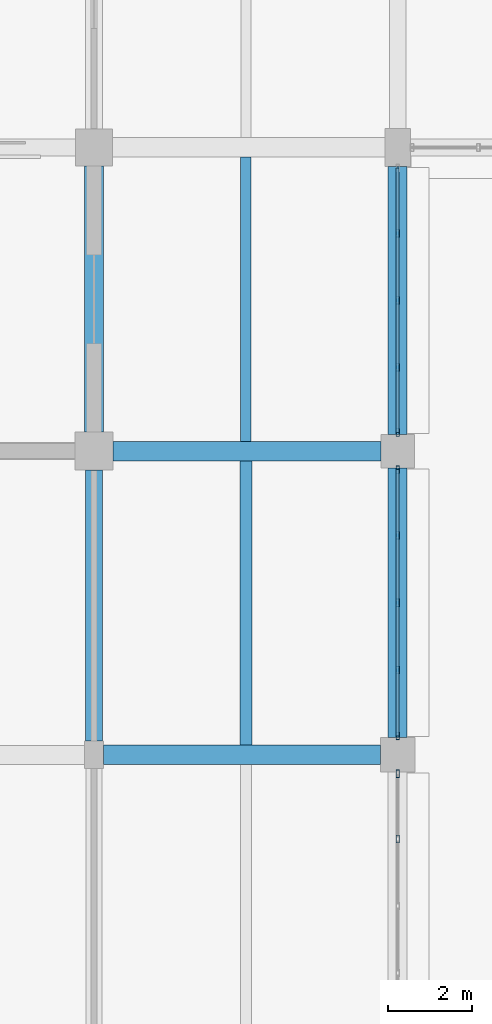
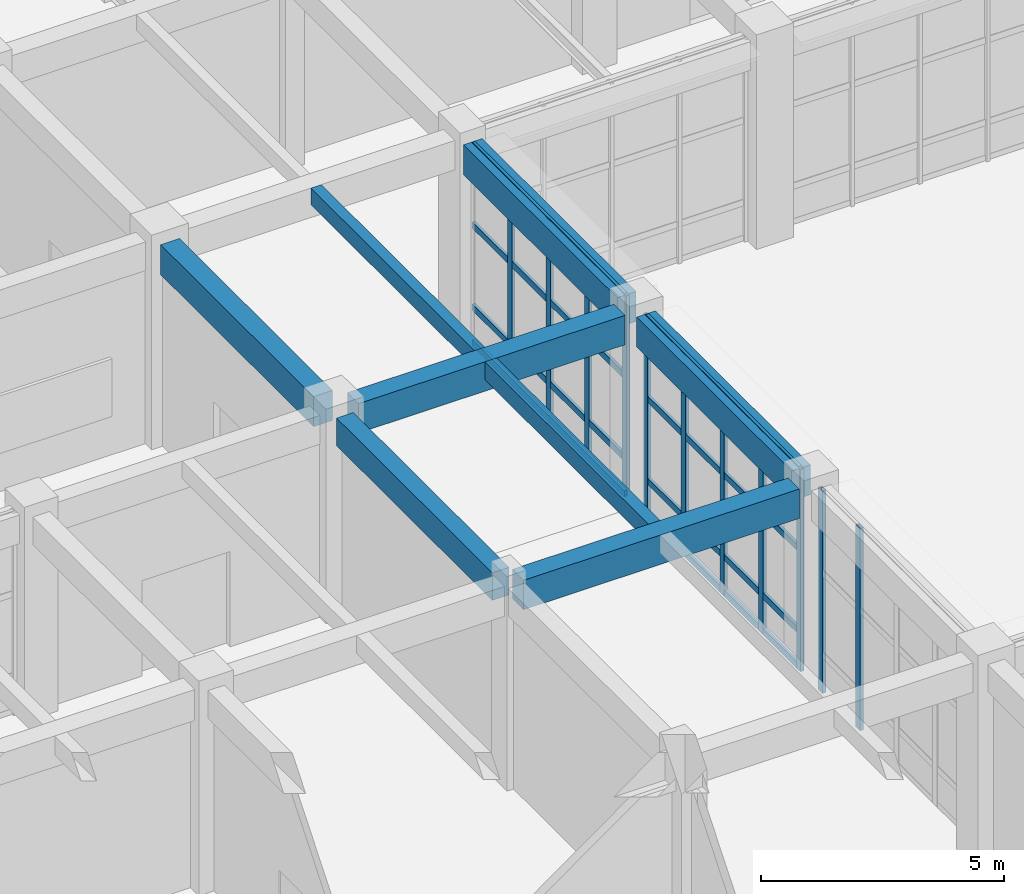
# One storey, part 48 of 160: 19 members, 8 beams, 3 elements without a shape of their own.
"""IFC4 building model written with IfcOpenShell, lengths in metres."""

from ifc_helpers import new_model, si_unit, direction, frame, origin, origin_2d, place, context, subcontext, project, spatial, rectangle, hollow_rectangle, extrude, material, material_profile, profile_set, type_object, element, aggregate, save


model = new_model("IFC4")

# Units and contexts
model_context = context("Model", 3, precision=1e-05, world=origin(), true_north=direction((0.0, 1.0)))
body_context = subcontext(model_context, "Body", "Model", "MODEL_VIEW")
ifc_project = project(units=[si_unit("LENGTHUNIT", "METRE"), si_unit("AREAUNIT", "SQUARE_METRE"), si_unit("VOLUMEUNIT", "CUBIC_METRE"), si_unit("PLANEANGLEUNIT", "RADIAN"), si_unit("MASSUNIT", "GRAM", prefix="KILO")], contexts=[model_context])

# Site, building, storey
site_placement = place(None, origin())
site = spatial("IfcSite", under=ifc_project, at=site_placement, CompositionType="ELEMENT")
building_placement = place(site_placement, origin())
building = spatial("IfcBuilding", under=site, at=building_placement, Name="Thalmaran Polytechnic", CompositionType="ELEMENT")
storey_placement = place(building_placement, origin())
storey = spatial("IfcBuildingStorey", under=building, at=storey_placement, Name="L00", CompositionType="ELEMENT", Elevation=0.0)

# Beams
ifc_material_1 = material(Name="Concrete C40/50", Category="concrete")
ifc_material_profile_1 = material_profile(ifc_material_1, rectangle(XDim=0.280029296875, YDim=0.449951171875, at=origin_2d()), Name="RC 280x450")
ifc_profile_set_1 = profile_set([ifc_material_profile_1], Name="Concrete C40/50")
beam_type_1 = type_object("IfcBeamType", Name="BM-RC13", PredefinedType="JOIST", material=ifc_profile_set_1)
beam_1_placement = place(storey_placement, frame((18.0, 79.429931640625, 4.864990234375), z_axis=(0.0, 1.0, 0.0), x_axis=(-1.0, 0.0, 0.0)))
element("IfcBeam", 1, at=beam_1_placement, inside=storey, type_object=beam_type_1, Name="Secondary Floor Rib RB03 L00 (2,11)", PredefinedType="JOIST", context=body_context, shape_type="SweptSolid", body=[
    extrude(rectangle(XDim=0.280029296875, YDim=0.449951171875, at=origin_2d()), origin(), (0.0, 0.0, 1.0), 6.739990234375),
])
ifc_material_profile_2 = material_profile(ifc_material_1, rectangle(XDim=0.449951171875, YDim=0.7548828125, at=origin_2d()), Name="RC 450x755")
ifc_profile_set_2 = profile_set([ifc_material_profile_2], Name="Concrete C40/50")
beam_type_2 = type_object("IfcBeamType", Name="BM-SP02", PredefinedType="SPANDREL", material=ifc_profile_set_2)
beam_2_placement = place(storey_placement, frame((14.39990234375, 86.85009765625, 4.71240234375), z_axis=(0.0, 1.0, 0.0), x_axis=(-1.0, 0.0, 0.0)))
element("IfcBeam", 2, at=beam_2_placement, inside=storey, type_object=beam_type_2, Name="Grid Beam SP02 L00 Y(2,12)", PredefinedType="SPANDREL", context=body_context, shape_type="SweptSolid", body=[
    extrude(rectangle(XDim=0.449951171875, YDim=0.7548828125, at=origin_2d()), origin(), (0.0, 0.0, 1.0), 6.309814453125),
])
beam_3_placement = place(storey_placement, frame((21.60009765625, 79.610107421875, 4.71240234375), z_axis=(0.0, 1.0, 0.0), x_axis=(-1.0, 0.0, 0.0)))
element("IfcBeam", 3, at=beam_3_placement, inside=storey, type_object=beam_type_2, Name="Grid Beam SP02 L00 Y(3,11)", PredefinedType="SPANDREL", context=body_context, shape_type="SweptSolid", body=[
    extrude(rectangle(XDim=0.449951171875, YDim=0.7548828125, at=origin_2d()), origin(), (0.0, 0.0, 1.0), 6.389892578125),
])
beam_4_placement = place(storey_placement, frame((21.60009765625, 86.800048828125, 4.71240234375), z_axis=(0.0, 1.0, 0.0), x_axis=(-1.0, 0.0, 0.0)))
element("IfcBeam", 4, at=beam_4_placement, inside=storey, type_object=beam_type_2, Name="Grid Beam SP02 L00 Y(3,12)", PredefinedType="SPANDREL", context=body_context, shape_type="SweptSolid", body=[
    extrude(rectangle(XDim=0.449951171875, YDim=0.7548828125, at=origin_2d()), origin(), (0.0, 0.0, 1.0), 6.349853515625),
])
ifc_material_profile_3 = material_profile(ifc_material_1, rectangle(XDim=0.4599609375, YDim=0.739990234375, at=origin_2d()), Name="RC 460x740")
ifc_profile_set_3 = profile_set([ifc_material_profile_3], Name="Concrete C40/50")
beam_type_3 = type_object("IfcBeamType", Name="BM-ZB02", PredefinedType="BEAM", material=ifc_profile_set_3)
beam_5_placement = place(storey_placement, frame((14.625, 79.199951171875, 4.719970703125), z_axis=(1.0, 0.0, 0.0), x_axis=(0.0, 1.0, 0.0)))
element("IfcBeam", 5, at=beam_5_placement, inside=storey, type_object=beam_type_3, Name="Grid Beam ZB02 L00 X(2,11)", PredefinedType="BEAM", context=body_context, shape_type="SweptSolid", body=[
    extrude(rectangle(XDim=0.4599609375, YDim=0.739990234375, at=origin_2d()), origin(), (0.0, 0.0, 1.0), 6.56494140625),
])
beam_6_placement = place(storey_placement, frame((14.85009765625, 86.39990234375, 4.719970703125), z_axis=(1.0, 0.0, 0.0), x_axis=(0.0, 1.0, 0.0)))
element("IfcBeam", 6, at=beam_6_placement, inside=storey, type_object=beam_type_3, Name="Grid Beam ZB02 L00 X(2,12)", PredefinedType="BEAM", context=body_context, shape_type="SweptSolid", body=[
    extrude(rectangle(XDim=0.4599609375, YDim=0.739990234375, at=origin_2d()), origin(), (0.0, 0.0, 1.0), 6.349853515625),
])
ifc_material_profile_4 = material_profile(ifc_material_1, rectangle(XDim=0.39990234375, YDim=0.695068359375, at=origin_2d()), Name="RC 400x695")
ifc_profile_set_4 = profile_set([ifc_material_profile_4], Name="Concrete C40/50")
beam_type_4 = type_object("IfcBeamType", Name="BM-ZB08", PredefinedType="BEAM", material=ifc_profile_set_4)
beam_7_placement = place(storey_placement, frame((14.39990234375, 79.52490234375, 4.742431640625), z_axis=(0.0, 1.0, 0.0), x_axis=(-1.0, 0.0, 0.0)))
element("IfcBeam", 7, at=beam_7_placement, inside=storey, type_object=beam_type_4, Name="Grid Beam ZB08 L00 Y(2,11)", PredefinedType="BEAM", context=body_context, shape_type="SweptSolid", body=[
    extrude(rectangle(XDim=0.39990234375, YDim=0.695068359375, at=origin_2d()), origin(), (0.0, 0.0, 1.0), 6.425048828125),
])
ifc_material_profile_5 = material_profile(ifc_material_1, rectangle(XDim=0.25, YDim=0.419921875, at=origin_2d()), Name="RC 250x420")
ifc_profile_set_5 = profile_set([ifc_material_profile_5], Name="Concrete C40/50")
beam_type_5 = type_object("IfcBeamType", Name="BM-ZJ03", PredefinedType="JOIST", material=ifc_profile_set_5)
beam_8_placement = place(storey_placement, frame((18.0, 86.6298828125, 4.8798828125), z_axis=(0.0, 1.0, 0.0), x_axis=(-1.0, 0.0, 0.0)))
element("IfcBeam", 8, at=beam_8_placement, inside=storey, type_object=beam_type_5, Name="Secondary Floor Rib ZJ03 L00 (2,12)", PredefinedType="JOIST", context=body_context, shape_type="SweptSolid", body=[
    extrude(rectangle(XDim=0.25, YDim=0.419921875, at=origin_2d()), origin(), (0.0, 0.0, 1.0), 6.740234375),
])

# Curtain wall, members
ifc_material_2 = material(Name="Aluminium 6063-T6", Category="aluminium")
curtain_wall_type = type_object("IfcCurtainWallType", Name="CW-UC01", PredefinedType="USERDEFINED", material=ifc_material_2)
curtain_wall_1_placement = place(storey_placement, origin())
curtain_wall_1 = element("IfcCurtainWall", 9, at=curtain_wall_1_placement, inside=storey, type_object=curtain_wall_type, Name="Curtain Wall CW-L00-023", ObjectType="UNITISED CURTAIN WALL", PredefinedType="USERDEFINED")
ifc_material_profile_6 = material_profile(ifc_material_2, hollow_rectangle(XDim=0.080078125, YDim=0.179931640625, WallThickness=0.0048828125, at=origin_2d()), Name="RHS 180x80x5.0")
ifc_profile_set_6 = profile_set([ifc_material_profile_6], Name="Aluminium 6063-T6")
member_type_1 = type_object("IfcMemberType", Name="CW-MUL1", PredefinedType="MULLION", material=ifc_profile_set_6)
member_1_placement = place(storey_placement, frame((21.60009765625, 91.5625, 0.0), z_axis=(0.0, 0.0, 1.0), x_axis=(1.0, 0.0, 0.0)))
member_1 = element("IfcMember", 10, at=member_1_placement, type_object=member_type_1, Name="CW-L00-023 Mullion 2", PredefinedType="MULLION", context=body_context, shape_type="SweptSolid", body=[
    extrude(hollow_rectangle(XDim=0.080078125, YDim=0.179931640625, WallThickness=0.0048828125, at=origin_2d()), origin(), (0.0, 0.0, 1.0), 5.090087890625),
])
member_2_placement = place(storey_placement, frame((21.60009765625, 89.97509765625, 0.0), z_axis=(0.0, 0.0, 1.0), x_axis=(1.0, 0.0, 0.0)))
member_2 = element("IfcMember", 11, at=member_2_placement, type_object=member_type_1, Name="CW-L00-023 Mullion 3", PredefinedType="MULLION", context=body_context, shape_type="SweptSolid", body=[
    extrude(hollow_rectangle(XDim=0.080078125, YDim=0.179931640625, WallThickness=0.0048828125, at=origin_2d()), origin(), (0.0, 0.0, 1.0), 5.090087890625),
])
member_3_placement = place(storey_placement, frame((21.60009765625, 88.387451171875, 0.0), z_axis=(0.0, 0.0, 1.0), x_axis=(1.0, 0.0, 0.0)))
member_3 = element("IfcMember", 12, at=member_3_placement, type_object=member_type_1, Name="CW-L00-023 Mullion 4", PredefinedType="MULLION", context=body_context, shape_type="SweptSolid", body=[
    extrude(hollow_rectangle(XDim=0.080078125, YDim=0.179931640625, WallThickness=0.0048828125, at=origin_2d()), origin(), (0.0, 0.0, 1.0), 5.090087890625),
])
member_4_placement = place(storey_placement, frame((21.60009765625, 86.840087890625, 0.0), z_axis=(0.0, 0.0, 1.0), x_axis=(1.0, 0.0, 0.0)))
member_4 = element("IfcMember", 13, at=member_4_placement, type_object=member_type_1, Name="CW-L00-023 Mullion 5", PredefinedType="MULLION", context=body_context, shape_type="SweptSolid", body=[
    extrude(hollow_rectangle(XDim=0.080078125, YDim=0.179931640625, WallThickness=0.0048828125, at=origin_2d()), origin(), (0.0, 0.0, 1.0), 5.090087890625),
])

curtain_wall_2_placement = place(storey_placement, origin())
curtain_wall_2 = element("IfcCurtainWall", 14, at=curtain_wall_2_placement, inside=storey, type_object=curtain_wall_type, Name="Curtain Wall CW-L00-024", ObjectType="UNITISED CURTAIN WALL", PredefinedType="USERDEFINED")
member_5_placement = place(storey_placement, frame((21.60009765625, 85.9599609375, 0.0), z_axis=(0.0, 0.0, 1.0), x_axis=(1.0, 0.0, 0.0)))
member_5 = element("IfcMember", 15, at=member_5_placement, type_object=member_type_1, Name="CW-L00-024 Mullion 1", PredefinedType="MULLION", context=body_context, shape_type="SweptSolid", body=[
    extrude(hollow_rectangle(XDim=0.080078125, YDim=0.179931640625, WallThickness=0.0048828125, at=origin_2d()), origin(), (0.0, 0.0, 1.0), 5.090087890625),
])
member_6_placement = place(storey_placement, frame((21.60009765625, 84.402587890625, 0.0), z_axis=(0.0, 0.0, 1.0), x_axis=(1.0, 0.0, 0.0)))
member_6 = element("IfcMember", 16, at=member_6_placement, type_object=member_type_1, Name="CW-L00-024 Mullion 2", PredefinedType="MULLION", context=body_context, shape_type="SweptSolid", body=[
    extrude(hollow_rectangle(XDim=0.080078125, YDim=0.179931640625, WallThickness=0.0048828125, at=origin_2d()), origin(), (0.0, 0.0, 1.0), 5.090087890625),
])
member_7_placement = place(storey_placement, frame((21.60009765625, 82.804931640625, 0.0), z_axis=(0.0, 0.0, 1.0), x_axis=(1.0, 0.0, 0.0)))
member_7 = element("IfcMember", 17, at=member_7_placement, type_object=member_type_1, Name="CW-L00-024 Mullion 3", PredefinedType="MULLION", context=body_context, shape_type="SweptSolid", body=[
    extrude(hollow_rectangle(XDim=0.080078125, YDim=0.179931640625, WallThickness=0.0048828125, at=origin_2d()), origin(), (0.0, 0.0, 1.0), 5.090087890625),
])
member_8_placement = place(storey_placement, frame((21.60009765625, 81.20751953125, 0.0), z_axis=(0.0, 0.0, 1.0), x_axis=(1.0, 0.0, 0.0)))
member_8 = element("IfcMember", 18, at=member_8_placement, type_object=member_type_1, Name="CW-L00-024 Mullion 4", PredefinedType="MULLION", context=body_context, shape_type="SweptSolid", body=[
    extrude(hollow_rectangle(XDim=0.080078125, YDim=0.179931640625, WallThickness=0.0048828125, at=origin_2d()), origin(), (0.0, 0.0, 1.0), 5.090087890625),
])
member_9_placement = place(storey_placement, frame((21.60009765625, 79.64990234375, 0.0), z_axis=(0.0, 0.0, 1.0), x_axis=(1.0, 0.0, 0.0)))
member_9 = element("IfcMember", 19, at=member_9_placement, type_object=member_type_1, Name="CW-L00-024 Mullion 5", PredefinedType="MULLION", context=body_context, shape_type="SweptSolid", body=[
    extrude(hollow_rectangle(XDim=0.080078125, YDim=0.179931640625, WallThickness=0.0048828125, at=origin_2d()), origin(), (0.0, 0.0, 1.0), 5.090087890625),
])

curtain_wall_3_placement = place(storey_placement, origin())
curtain_wall_3 = element("IfcCurtainWall", 20, at=curtain_wall_3_placement, inside=storey, type_object=curtain_wall_type, Name="Curtain Wall CW-L00-025", ObjectType="UNITISED CURTAIN WALL", PredefinedType="USERDEFINED")
member_10_placement = place(storey_placement, frame((21.60009765625, 78.75, 0.0), z_axis=(0.0, 0.0, 1.0), x_axis=(1.0, 0.0, 0.0)))
member_10 = element("IfcMember", 21, at=member_10_placement, type_object=member_type_1, Name="CW-L00-025 Mullion 1", PredefinedType="MULLION", context=body_context, shape_type="SweptSolid", body=[
    extrude(hollow_rectangle(XDim=0.080078125, YDim=0.179931640625, WallThickness=0.0048828125, at=origin_2d()), origin(), (0.0, 0.0, 1.0), 5.090087890625),
])
member_11_placement = place(storey_placement, frame((21.60009765625, 77.202392578125, 0.0), z_axis=(0.0, 0.0, 1.0), x_axis=(1.0, 0.0, 0.0)))
member_11 = element("IfcMember", 22, at=member_11_placement, type_object=member_type_1, Name="CW-L00-025 Mullion 2", PredefinedType="MULLION", context=body_context, shape_type="SweptSolid", body=[
    extrude(hollow_rectangle(XDim=0.080078125, YDim=0.179931640625, WallThickness=0.0048828125, at=origin_2d()), origin(), (0.0, 0.0, 1.0), 5.090087890625),
])
aggregate(curtain_wall_3, [member_10, member_11])

# Member
ifc_material_profile_7 = material_profile(ifc_material_2, hollow_rectangle(XDim=0.070068359375, YDim=0.159912109375, WallThickness=0.00390625, at=origin_2d()), Name="AL 160x70x4.0")
ifc_profile_set_7 = profile_set([ifc_material_profile_7], Name="Aluminium 6063-T6")
member_type_2 = type_object("IfcMemberType", Name="CW-TRN1", PredefinedType="USERDEFINED", material=ifc_profile_set_7)
member_12_placement = place(storey_placement, frame((21.60009765625, 93.110107421875, 0.06005859375), z_axis=(0.0, -1.0, 0.0), x_axis=(1.0, 0.0, 0.0)))
member_12 = element("IfcMember", 23, at=member_12_placement, type_object=member_type_2, Name="CW-L00-023 Transom 1", ObjectType="TRANSOM", PredefinedType="USERDEFINED", context=body_context, shape_type="SweptSolid", body=[
    extrude(hollow_rectangle(XDim=0.070068359375, YDim=0.159912109375, WallThickness=0.00390625, at=origin_2d()), origin(), (0.0, 0.0, 1.0), 6.27001953125),
])

member_13_placement = place(storey_placement, frame((21.60009765625, 93.110107421875, 0.9599609375), z_axis=(0.0, -1.0, 0.0), x_axis=(1.0, 0.0, 0.0)))
member_13 = element("IfcMember", 24, at=member_13_placement, type_object=member_type_2, Name="CW-L00-023 Transom 2", ObjectType="TRANSOM", PredefinedType="USERDEFINED", context=body_context, shape_type="SweptSolid", body=[
    extrude(hollow_rectangle(XDim=0.070068359375, YDim=0.159912109375, WallThickness=0.00390625, at=origin_2d()), origin(), (0.0, 0.0, 1.0), 6.27001953125),
])

member_14_placement = place(storey_placement, frame((21.60009765625, 93.110107421875, 3.02490234375), z_axis=(0.0, -1.0, 0.0), x_axis=(1.0, 0.0, 0.0)))
member_14 = element("IfcMember", 25, at=member_14_placement, type_object=member_type_2, Name="CW-L00-023 Transom 3", ObjectType="TRANSOM", PredefinedType="USERDEFINED", context=body_context, shape_type="SweptSolid", body=[
    extrude(hollow_rectangle(XDim=0.070068359375, YDim=0.159912109375, WallThickness=0.00390625, at=origin_2d()), origin(), (0.0, 0.0, 1.0), 6.27001953125),
])

member_15_placement = place(storey_placement, frame((21.60009765625, 93.110107421875, 5.030029296875), z_axis=(0.0, -1.0, 0.0), x_axis=(1.0, 0.0, 0.0)))
member_15 = element("IfcMember", 26, at=member_15_placement, type_object=member_type_2, Name="CW-L00-023 Transom 4", ObjectType="TRANSOM", PredefinedType="USERDEFINED", context=body_context, shape_type="SweptSolid", body=[
    extrude(hollow_rectangle(XDim=0.070068359375, YDim=0.159912109375, WallThickness=0.00390625, at=origin_2d()), origin(), (0.0, 0.0, 1.0), 6.27001953125),
])

aggregate(curtain_wall_1, [member_1, member_2, member_3, member_4, member_12, member_13, member_14, member_15])

member_16_placement = place(storey_placement, frame((21.60009765625, 85.9599609375, 0.06005859375), z_axis=(0.0, -1.0, 0.0), x_axis=(1.0, 0.0, 0.0)))
member_16 = element("IfcMember", 27, at=member_16_placement, type_object=member_type_2, Name="CW-L00-024 Transom 1", ObjectType="TRANSOM", PredefinedType="USERDEFINED", context=body_context, shape_type="SweptSolid", body=[
    extrude(hollow_rectangle(XDim=0.070068359375, YDim=0.159912109375, WallThickness=0.00390625, at=origin_2d()), origin(), (0.0, 0.0, 1.0), 6.31005859375),
])

member_17_placement = place(storey_placement, frame((21.60009765625, 85.9599609375, 0.9599609375), z_axis=(0.0, -1.0, 0.0), x_axis=(1.0, 0.0, 0.0)))
member_17 = element("IfcMember", 28, at=member_17_placement, type_object=member_type_2, Name="CW-L00-024 Transom 2", ObjectType="TRANSOM", PredefinedType="USERDEFINED", context=body_context, shape_type="SweptSolid", body=[
    extrude(hollow_rectangle(XDim=0.070068359375, YDim=0.159912109375, WallThickness=0.00390625, at=origin_2d()), origin(), (0.0, 0.0, 1.0), 6.31005859375),
])

member_18_placement = place(storey_placement, frame((21.60009765625, 85.9599609375, 3.02490234375), z_axis=(0.0, -1.0, 0.0), x_axis=(1.0, 0.0, 0.0)))
member_18 = element("IfcMember", 29, at=member_18_placement, type_object=member_type_2, Name="CW-L00-024 Transom 3", ObjectType="TRANSOM", PredefinedType="USERDEFINED", context=body_context, shape_type="SweptSolid", body=[
    extrude(hollow_rectangle(XDim=0.070068359375, YDim=0.159912109375, WallThickness=0.00390625, at=origin_2d()), origin(), (0.0, 0.0, 1.0), 6.31005859375),
])

member_19_placement = place(storey_placement, frame((21.60009765625, 85.9599609375, 5.030029296875), z_axis=(0.0, -1.0, 0.0), x_axis=(1.0, 0.0, 0.0)))
member_19 = element("IfcMember", 30, at=member_19_placement, type_object=member_type_2, Name="CW-L00-024 Transom 4", ObjectType="TRANSOM", PredefinedType="USERDEFINED", context=body_context, shape_type="SweptSolid", body=[
    extrude(hollow_rectangle(XDim=0.070068359375, YDim=0.159912109375, WallThickness=0.00390625, at=origin_2d()), origin(), (0.0, 0.0, 1.0), 6.31005859375),
])

aggregate(curtain_wall_2, [member_5, member_6, member_7, member_8, member_9, member_16, member_17, member_18, member_19])

save(model, "model.ifc")
